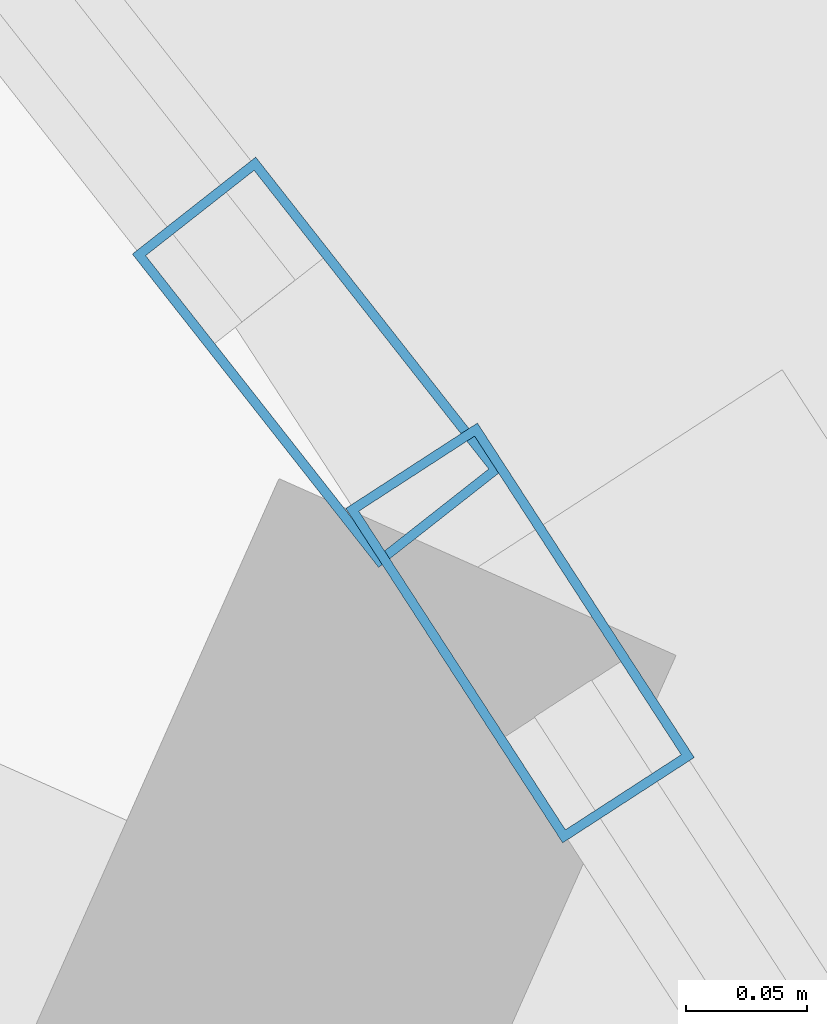
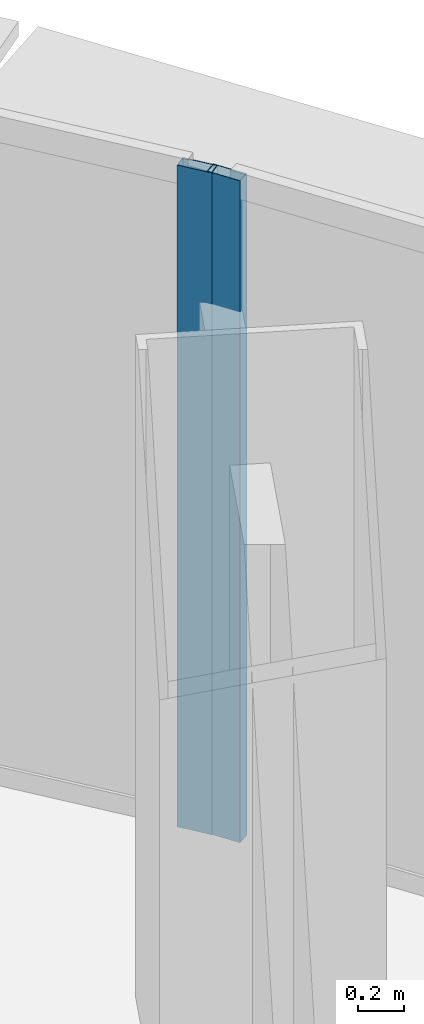
# One storey, part 18 of 36: 2 members, 2 elements without a shape of their own.
"""IFC4 building model written with IfcOpenShell, lengths in metres."""

from ifc_helpers import new_model, si_unit, direction, frame, origin, origin_2d, place, context, subcontext, project, spatial, hollow_rectangle, extrude, source, transform, mapped, material, layer, layer_set, material_profile, profile_set, type_object, element, aggregate, save


model = new_model("IFC4")

# Units and contexts
model_context = context("Model", 3, precision=1e-05, world=origin(), true_north=direction((0.0, 1.0)))
body_context = subcontext(model_context, "Body", "Model", "MODEL_VIEW")
ifc_project = project(units=[si_unit("LENGTHUNIT", "METRE"), si_unit("AREAUNIT", "SQUARE_METRE"), si_unit("VOLUMEUNIT", "CUBIC_METRE"), si_unit("PLANEANGLEUNIT", "RADIAN"), si_unit("MASSUNIT", "GRAM", prefix="KILO"), si_unit("THERMODYNAMICTEMPERATUREUNIT", "KELVIN"), si_unit("POWERUNIT", "WATT")], contexts=[model_context])

# Site, building, storey
site_placement = place(None, origin())
site = spatial("IfcSite", under=ifc_project, at=site_placement, CompositionType="ELEMENT")
building_placement = place(site_placement, origin())
building = spatial("IfcBuilding", under=site, at=building_placement, Name="Yunzhuo Pagoda Commons", CompositionType="ELEMENT")
storey_placement = place(building_placement, frame((0.0, 0.0, 103.97998046875)))
storey = spatial("IfcBuildingStorey", under=building, at=storey_placement, Name="L26", CompositionType="ELEMENT", Elevation=103.97998046875)

# Curtain wall, member
ifc_material = material(Name="Anodized aluminium 6063-T6", Category="aluminium")
ifc_layer = layer(ifc_material, 0.1650390625)
ifc_layer_set = layer_set([ifc_layer], Name="Anodized aluminium 6063-T6")
curtain_wall_type = type_object("IfcCurtainWallType", Name="CW-LOW Low-Zone Ribbon Curtain Wall", PredefinedType="NOTDEFINED", material=ifc_layer_set)
curtain_wall_1_placement = place(storey_placement, origin())
curtain_wall_1 = element("IfcCurtainWall", 1, at=curtain_wall_1_placement, inside=storey, type_object=curtain_wall_type, Name="L26 curtain wall CW-L26-F2B4", PredefinedType="NOTDEFINED")
ifc_material_profile = material_profile(ifc_material, hollow_rectangle(XDim=0.06494140625, YDim=0.1650390625, WallThickness=0.00390625, at=origin_2d()), Name="Anodized aluminium 6063-T6")
ifc_profile_set = profile_set([ifc_material_profile], Name="Anodized aluminium 6063-T6")
member_type = type_object("IfcMemberType", Name="CW-LOW-M Mullion RHS 165x65x4", PredefinedType="MULLION", material=ifc_profile_set)
shared_shape = source(origin(), body_context, "Body", "SweptSolid", [
    extrude(hollow_rectangle(XDim=0.06494140625, YDim=0.1650390625, WallThickness=0.00390625, at=origin_2d()), origin(), (0.0, 0.0, 1.0), 3.5400390625),
])
member_1_placement = place(storey_placement, frame((64.65380859375, 71.038330078125, 0.000244140625), z_axis=(0.0, 0.0, 1.0), x_axis=(-0.839039875799, -0.544069928244, 0.0)))
member_1 = element("IfcMember", 2, at=member_1_placement, type_object=member_type, Name="CW mullion 2", PredefinedType="MULLION", context=body_context, shape_type="MappedRepresentation", body=[
    mapped(shared_shape, transform((0.0, 0.0, 0.0), scale=1.0)),
])
aggregate(curtain_wall_1, [member_1])

curtain_wall_2_placement = place(storey_placement, origin())
curtain_wall_2 = element("IfcCurtainWall", 3, at=curtain_wall_2_placement, inside=storey, type_object=curtain_wall_type, Name="L26 curtain wall CW-L26-F2B5", PredefinedType="NOTDEFINED")
member_2_placement = place(storey_placement, frame((64.56982421875, 71.150390625, 0.000244140625), z_axis=(0.0, 0.0, 1.0), x_axis=(-0.786301112862, -0.617843475253, 0.0)))
member_2 = element("IfcMember", 4, at=member_2_placement, type_object=member_type, Name="CW mullion 1", PredefinedType="MULLION", context=body_context, shape_type="MappedRepresentation", body=[
    mapped(shared_shape, transform((0.0, 0.0, 0.0), scale=1.0)),
])
aggregate(curtain_wall_2, [member_2])

save(model, "model.ifc")
